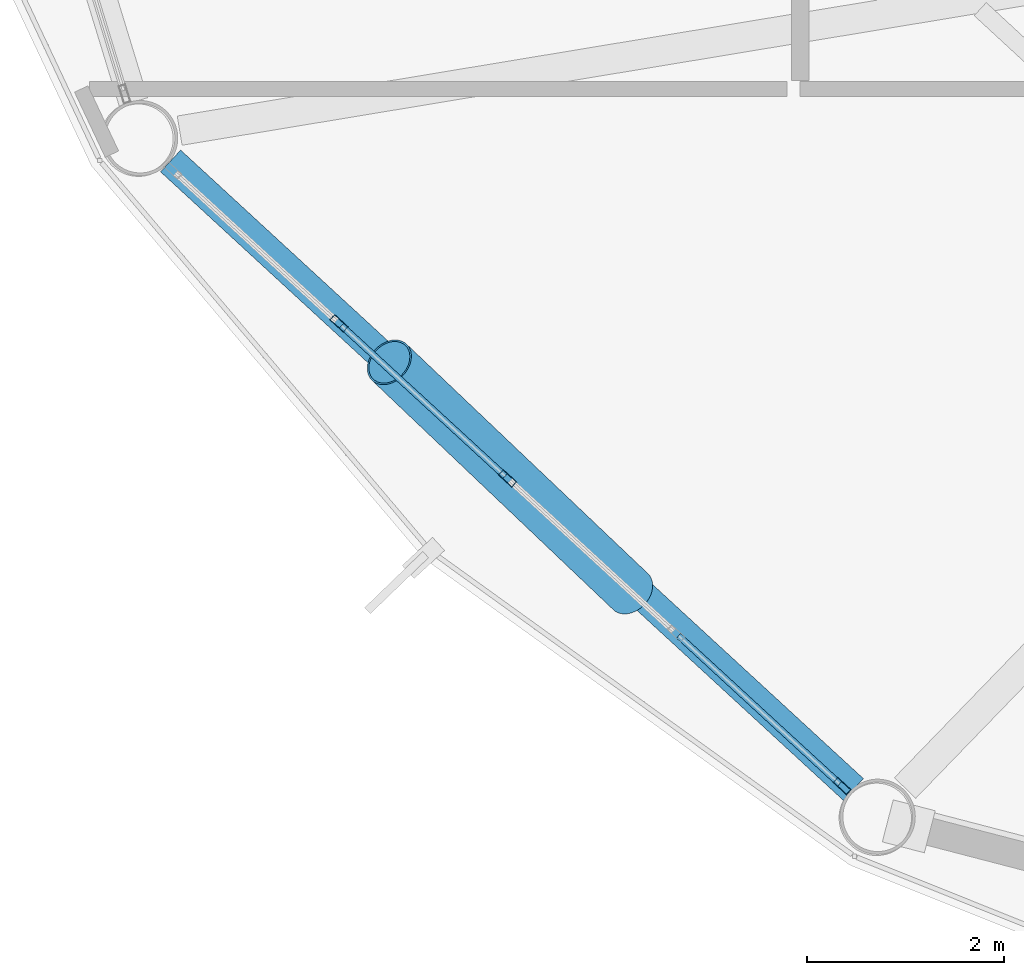
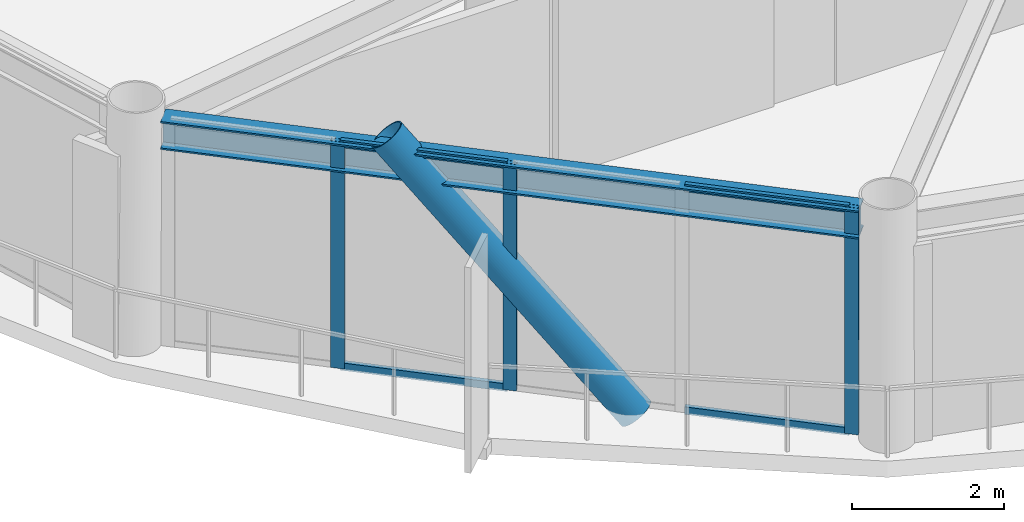
# One storey, part 2 of 24: 8 members, 1 beam, 1 element without a shape of its own.
"""IFC4 building model written with IfcOpenShell, lengths in metres."""

from ifc_helpers import new_model, si_unit, direction, frame, origin, origin_2d, place, context, subcontext, project, spatial, hollow_rectangle, hollow_circle, i_section, extrude, material, layer, layer_set, material_profile, profile_set, type_object, element, aggregate, save


model = new_model("IFC4")

# Units and contexts
model_context = context("Model", 3, precision=1e-05, world=origin(), true_north=direction((0.0, 1.0)))
body_context = subcontext(model_context, "Body", "Model", "MODEL_VIEW")
ifc_project = project(units=[si_unit("LENGTHUNIT", "METRE"), si_unit("AREAUNIT", "SQUARE_METRE"), si_unit("VOLUMEUNIT", "CUBIC_METRE"), si_unit("PLANEANGLEUNIT", "RADIAN"), si_unit("MASSUNIT", "GRAM", prefix="KILO")], contexts=[model_context])

# Site, building, storey
site_placement = place(None, origin())
site = spatial("IfcSite", under=ifc_project, at=site_placement, CompositionType="ELEMENT")
building_placement = place(site_placement, origin())
building = spatial("IfcBuilding", under=site, at=building_placement, Name="Varnakorn Sky Granary", CompositionType="ELEMENT")
storey_placement = place(building_placement, frame((0.0, 0.0, 161.699951171875)))
storey = spatial("IfcBuildingStorey", under=building, at=storey_placement, Name="L40", CompositionType="ELEMENT", Elevation=161.699951171875)

# Beam
ifc_material_1 = material(Name="Steel S355JR", Category="steel")
ifc_material_profile_1 = material_profile(ifc_material_1, i_section(OverallWidth=0.300048828125, OverallDepth=0.449951171875, WebThickness=0.013916015625, FlangeThickness=0.02587890625, at=origin_2d()), Name="HE 450 B")
ifc_profile_set_1 = profile_set([ifc_material_profile_1], Name="Steel S355JR")
beam_type = type_object("IfcBeamType", Name="BM-SPD-Z3", PredefinedType="SPANDREL", material=ifc_profile_set_1)
beam_placement = place(storey_placement, frame((-18.882080078125, -9.62939453125, 3.4150390625), z_axis=(0.735734961575, -0.677269566949, 0.0), x_axis=(0.677269566949, 0.735734961575, 0.0)))
element("IfcBeam", 1, at=beam_placement, inside=storey, type_object=beam_type, Name="Perimeter Spandrel Ring Beam RB08 L40", PredefinedType="SPANDREL", context=body_context, shape_type="SweptSolid", body=[
    extrude(i_section(OverallWidth=0.300048828125, OverallDepth=0.449951171875, WebThickness=0.013916015625, FlangeThickness=0.02587890625, at=origin_2d()), origin(), (0.0, 0.0, 1.0), 9.408203125),
])

# Curtain wall, members
ifc_material_2 = material(Name="Anodised Bronze Aluminium Alloy 6063-T6", Category="aluminium")
ifc_layer = layer(ifc_material_2, 0.179931640625, Name="Anodised Bronze Aluminium Alloy 6063-T6")
ifc_layer_set = layer_set([ifc_layer], Name="Anodised Bronze Aluminium Alloy 6063-T6")
curtain_wall_type = type_object("IfcCurtainWallType", Name="CW-FRM-2", PredefinedType="USERDEFINED", material=ifc_layer_set)
curtain_wall_placement = place(storey_placement, origin())
curtain_wall = element("IfcCurtainWall", 2, at=curtain_wall_placement, inside=storey, type_object=curtain_wall_type, Name="Unitised Curtain Wall CW4 CW-L40-B08", ObjectType="CURTAIN WALL", PredefinedType="USERDEFINED")
ifc_material_profile_2 = material_profile(ifc_material_2, hollow_rectangle(XDim=0.070068359375, YDim=0.18505859375, WallThickness=0.00390625, at=origin_2d()), Name="ALU MULL 70x185")
ifc_profile_set_2 = profile_set([ifc_material_profile_2], Name="Anodised Bronze Aluminium Alloy 6063-T6")
member_type_1 = type_object("IfcMemberType", Name="CW-FRM-2-MULL", PredefinedType="MULLION", material=ifc_profile_set_2)
member_1_placement = place(storey_placement, frame((-12.074462890625, -15.967529296875, 0.0), z_axis=(0.0, 0.0, 1.0), x_axis=(-0.677011277308, -0.735972642425, 0.0)))
member_1 = element("IfcMember", 3, at=member_1_placement, type_object=member_type_1, Name="CW4 mullion 1", PredefinedType="MULLION", context=body_context, shape_type="SweptSolid", body=[
    extrude(hollow_rectangle(XDim=0.070068359375, YDim=0.18505859375, WallThickness=0.00390625, at=origin_2d()), origin(), (0.0, 0.0, 1.0), 3.64013671875),
])
member_2_placement = place(storey_placement, frame((-15.46630859375, -12.847412109375, 0.0), z_axis=(0.0, 0.0, 1.0), x_axis=(-0.677011277308, -0.735972642425, 0.0)))
member_2 = element("IfcMember", 4, at=member_2_placement, type_object=member_type_1, Name="CW4 mullion 3", PredefinedType="MULLION", context=body_context, shape_type="SweptSolid", body=[
    extrude(hollow_rectangle(XDim=0.070068359375, YDim=0.18505859375, WallThickness=0.00390625, at=origin_2d()), origin(), (0.0, 0.0, 1.0), 3.64013671875),
])
member_3_placement = place(storey_placement, frame((-17.175048828125, -11.275634765625, 0.0), z_axis=(0.0, 0.0, 1.0), x_axis=(-0.677011277308, -0.735972642425, 0.0)))
member_3 = element("IfcMember", 5, at=member_3_placement, type_object=member_type_1, Name="CW4 mullion 4", PredefinedType="MULLION", context=body_context, shape_type="SweptSolid", body=[
    extrude(hollow_rectangle(XDim=0.070068359375, YDim=0.18505859375, WallThickness=0.00390625, at=origin_2d()), origin(), (0.0, 0.0, 1.0), 3.64013671875),
])
ifc_material_profile_3 = material_profile(ifc_material_2, hollow_rectangle(XDim=0.06494140625, YDim=0.1201171875, WallThickness=0.00341796875, at=origin_2d()), Name="ALU TRAN 65x120")
ifc_profile_set_3 = profile_set([ifc_material_profile_3], Name="Anodised Bronze Aluminium Alloy 6063-T6")
member_type_2 = type_object("IfcMemberType", Name="CW-FRM-2-TRAN", PredefinedType="USERDEFINED", material=ifc_profile_set_3)
member_4_placement = place(storey_placement, frame((-12.10009765625, -15.94384765625, 0.032470703125), z_axis=(-0.736005636807, 0.676975407669, 0.0), x_axis=(-0.676975407669, -0.736005636807, 0.0)))
member_4 = element("IfcMember", 6, at=member_4_placement, type_object=member_type_2, Name="CW4 transom 1.1", ObjectType="TRANSOM", PredefinedType="USERDEFINED", context=body_context, shape_type="SweptSolid", body=[
    extrude(hollow_rectangle(XDim=0.06494140625, YDim=0.1201171875, WallThickness=0.00341796875, at=origin_2d()), origin(), (0.0, 0.0, 1.0), 2.216796875),
])
member_5_placement = place(storey_placement, frame((-12.10009765625, -15.94384765625, 3.607666015625), z_axis=(-0.736005636807, 0.676975407669, 0.0), x_axis=(-0.676975407669, -0.736005636807, 0.0)))
member_5 = element("IfcMember", 7, at=member_5_placement, type_object=member_type_2, Name="CW4 transom 1.2", ObjectType="TRANSOM", PredefinedType="USERDEFINED", context=body_context, shape_type="SweptSolid", body=[
    extrude(hollow_rectangle(XDim=0.06494140625, YDim=0.1201171875, WallThickness=0.00341796875, at=origin_2d()), origin(), (0.0, 0.0, 1.0), 2.216796875),
])
member_6_placement = place(storey_placement, frame((-15.491943359375, -12.82373046875, 0.032470703125), z_axis=(-0.736032560773, 0.676946134845, 0.0), x_axis=(-0.676946134845, -0.736032560773, 0.0)))
member_6 = element("IfcMember", 8, at=member_6_placement, type_object=member_type_2, Name="CW4 transom 3.1", ObjectType="TRANSOM", PredefinedType="USERDEFINED", context=body_context, shape_type="SweptSolid", body=[
    extrude(hollow_rectangle(XDim=0.06494140625, YDim=0.1201171875, WallThickness=0.00341796875, at=origin_2d()), origin(), (0.0, 0.0, 1.0), 2.251953125),
])
member_7_placement = place(storey_placement, frame((-15.491943359375, -12.82373046875, 3.607666015625), z_axis=(-0.736032560773, 0.676946134845, 0.0), x_axis=(-0.676946134845, -0.736032560773, 0.0)))
member_7 = element("IfcMember", 9, at=member_7_placement, type_object=member_type_2, Name="CW4 transom 3.2", ObjectType="TRANSOM", PredefinedType="USERDEFINED", context=body_context, shape_type="SweptSolid", body=[
    extrude(hollow_rectangle(XDim=0.06494140625, YDim=0.1201171875, WallThickness=0.00341796875, at=origin_2d()), origin(), (0.0, 0.0, 1.0), 2.251953125),
])
aggregate(curtain_wall, [member_1, member_2, member_3, member_4, member_5, member_6, member_7])

# Member
ifc_material_3 = material(Name="Steel S460M", Category="steel")
ifc_material_profile_4 = material_profile(ifc_material_3, hollow_circle(Radius=0.25390625, WallThickness=0.01806640625, at=origin_2d()), Name="CHS 508x18")
ifc_profile_set_4 = profile_set([ifc_material_profile_4], Name="Steel S460M")
member_type_3 = type_object("IfcMemberType", Name="MB-DIAG-T2", PredefinedType="BRACE", material=ifc_profile_set_4)
member_8_placement = place(storey_placement, frame((-14.21875, -13.994873046875, -0.1298828125), z_axis=(-0.472891431381, 0.449383751921, 0.757910243786), x_axis=(-0.688859751832, -0.724894642211, 0.0)))
element("IfcMember", 10, at=member_8_placement, inside=storey, type_object=member_type_3, Name="Perimeter CHS Diagrid Brace DG08 L40", PredefinedType="BRACE", context=body_context, shape_type="SweptSolid", body=[
    extrude(hollow_circle(Radius=0.25390625, WallThickness=0.01806640625, at=origin_2d()), origin(), (0.0, 0.0, 1.0), 5.172119140625),
])

save(model, "model.ifc")
